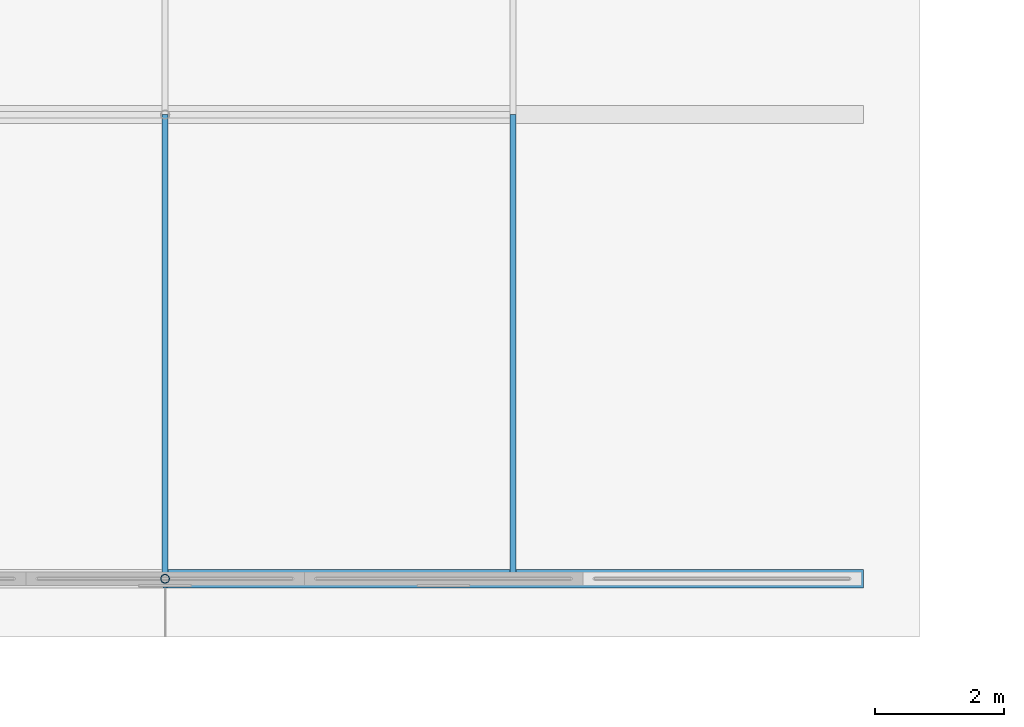
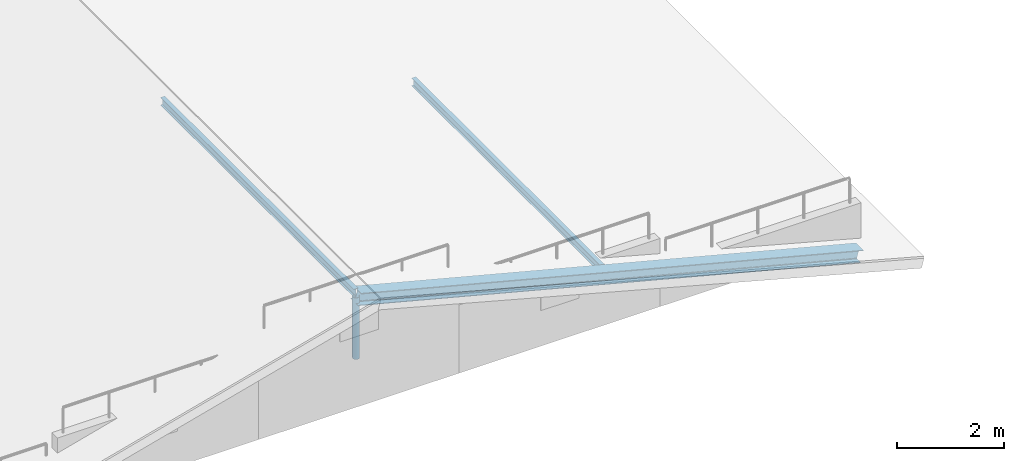
# One storey, part 14 of 65: 4 members.
"""IFC4 building model written with IfcOpenShell, lengths in metres."""

from ifc_helpers import new_model, si_unit, direction, frame, origin, origin_2d, place, context, subcontext, project, spatial, hollow_circle, i_section, extrude, material, material_profile, profile_set, type_object, element, save


model = new_model("IFC4")

# Units and contexts
model_context = context("Model", 3, precision=1e-05, world=origin(), true_north=direction((0.0, 1.0)))
body_context = subcontext(model_context, "Body", "Model", "MODEL_VIEW")
ifc_project = project(units=[si_unit("LENGTHUNIT", "METRE"), si_unit("AREAUNIT", "SQUARE_METRE"), si_unit("VOLUMEUNIT", "CUBIC_METRE"), si_unit("PLANEANGLEUNIT", "RADIAN"), si_unit("MASSUNIT", "GRAM", prefix="KILO"), si_unit("THERMODYNAMICTEMPERATUREUNIT", "KELVIN"), si_unit("POWERUNIT", "WATT")], contexts=[model_context])

# Site, building, storey
site_placement = place(None, origin())
site = spatial("IfcSite", under=ifc_project, at=site_placement, CompositionType="ELEMENT")
building_placement = place(site_placement, origin())
building = spatial("IfcBuilding", under=site, at=building_placement, Name="Tavuni Mirador Residences", CompositionType="ELEMENT")
storey_placement = place(building_placement, frame((0.0, 0.0, 29.699951171875)))
storey = spatial("IfcBuildingStorey", under=building, at=storey_placement, Name="L09", CompositionType="ELEMENT", Elevation=29.699951171875)

# Members
ifc_material = material(Name="Structural steel S355", Category="steel")
ifc_material_profile_1 = material_profile(ifc_material, hollow_circle(Radius=0.06982421875, WallThickness=0.008056640625, at=origin_2d()), Name="CHS 139.7x8.0", Category="steel")
ifc_profile_set_1 = profile_set([ifc_material_profile_1], Name="Structural steel S355")
member_type_1 = type_object("IfcMemberType", Name="MT-BR-CHS139", PredefinedType="BRACE", material=ifc_profile_set_1)
member_1_placement = place(storey_placement, frame((14.39990234375, 64.800048828125, 1.050048828125), z_axis=(0.0, 0.0, 1.0), x_axis=(1.0, 0.0, 0.0)))
element("IfcMember", 1, at=member_1_placement, inside=storey, type_object=member_type_1, Name="RKP-BLK-B-00", PredefinedType="BRACE", context=body_context, shape_type="SweptSolid", body=[
    extrude(hollow_circle(Radius=0.06982421875, WallThickness=0.008056640625, at=origin_2d()), origin(), (0.0, 0.0, 1.0), 1.39990234375),
])
ifc_material_profile_2 = material_profile(ifc_material, i_section(OverallWidth=0.280029296875, OverallDepth=0.27001953125, WebThickness=0.008056640625, FlangeThickness=0.012939453125, FilletRadius=0.02392578125, at=origin_2d()), Name="HEA 280", Category="steel")
ifc_profile_set_2 = profile_set([ifc_material_profile_2], Name="Structural steel S355")
member_type_2 = type_object("IfcMemberType", Name="MT-CH-HEA280", PredefinedType="CHORD", material=ifc_profile_set_2)
member_2_placement = place(storey_placement, frame((14.39990234375, 64.800048828125, 2.449951171875), z_axis=(0.968001426323, 0.0, -0.250944692386), x_axis=(0.0, 1.0, 0.0)))
element("IfcMember", 2, at=member_2_placement, inside=storey, type_object=member_type_2, Name="RAF-BLK-B-00-E", PredefinedType="CHORD", context=body_context, shape_type="SweptSolid", body=[
    extrude(i_section(OverallWidth=0.280029296875, OverallDepth=0.27001953125, WebThickness=0.008056640625, FlangeThickness=0.012939453125, FilletRadius=0.02392578125, at=origin_2d()), origin(), (0.0, 0.0, 1.0), 11.156982421875),
])
ifc_material_profile_3 = material_profile(ifc_material, i_section(OverallWidth=0.091064453125, OverallDepth=0.179931640625, WebThickness=0.00537109375, FlangeThickness=0.008056640625, FilletRadius=0.009033203125, at=origin_2d()), Name="IPE 180", Category="steel")
ifc_profile_set_3 = profile_set([ifc_material_profile_3], Name="Structural steel S355")
member_type_3 = type_object("IfcMemberType", Name="MT-PR-IPE180", PredefinedType="PURLIN", material=ifc_profile_set_3)
for number, where, z_axis, x_axis, name in (
    (3, (14.39990234375, 64.800048828125, 2.525146484375), (0.0, 1.0, 0.0), (-1.0, 0.0, 0.0), "RPUR-BLK-B-50-00"),
    (4, (19.800048828125, 64.800048828125, 1.074951171875), (0.0, 1.0, 0.0), (-1.0, 0.0, 0.0), "RPUR-BLK-B-75-00"),
):
    element("IfcMember", number, at=place(storey_placement, frame(where, z_axis=z_axis, x_axis=x_axis)), inside=storey, type_object=member_type_3, Name=name, PredefinedType="PURLIN", context=body_context, shape_type="SweptSolid", body=[
        extrude(i_section(OverallWidth=0.091064453125, OverallDepth=0.179931640625, WebThickness=0.00537109375, FlangeThickness=0.008056640625, FilletRadius=0.009033203125, at=origin_2d()), origin(), (0.0, 0.0, 1.0), 7.199951171875),
    ])

save(model, "model.ifc")
